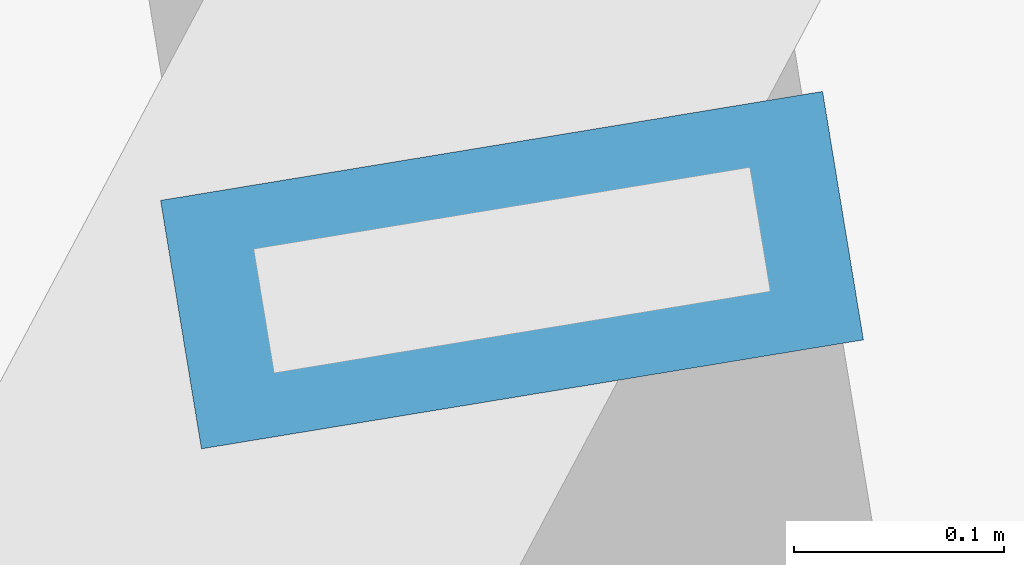
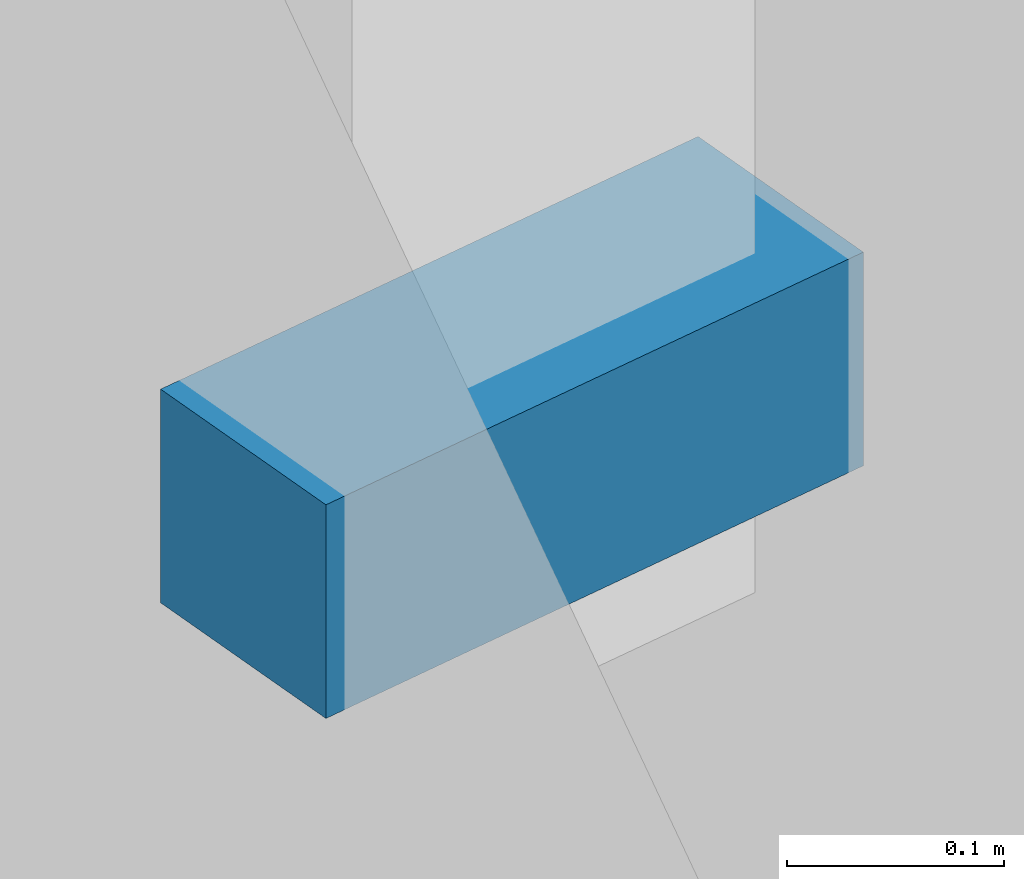
# One storey, part 15 of 21: 1 discrete accessory.
"""IFC4 building model written with IfcOpenShell, lengths in metres."""

from ifc_helpers import new_model, si_unit, direction, frame, origin, origin_2d, place, context, subcontext, project, spatial, rectangle, extrude, material, type_object, element, save


model = new_model("IFC4")

# Units and contexts
model_context = context("Model", 3, precision=1e-05, world=origin(), true_north=direction((0.0, 1.0)))
body_context = subcontext(model_context, "Body", "Model", "MODEL_VIEW")
ifc_project = project(units=[si_unit("LENGTHUNIT", "METRE"), si_unit("AREAUNIT", "SQUARE_METRE"), si_unit("VOLUMEUNIT", "CUBIC_METRE"), si_unit("PLANEANGLEUNIT", "RADIAN"), si_unit("MASSUNIT", "GRAM", prefix="KILO")], contexts=[model_context])

# Site, building, storey
site_placement = place(None, origin())
site = spatial("IfcSite", under=ifc_project, at=site_placement, CompositionType="ELEMENT")
building_placement = place(site_placement, origin())
building = spatial("IfcBuilding", under=site, at=building_placement, Name="Kolvaren Gate Tower and Convention Centre", CompositionType="ELEMENT")
storey_placement = place(building_placement, frame((0.0, 0.0, 226.10009765625)))
storey = spatial("IfcBuildingStorey", under=building, at=storey_placement, Name="L60", CompositionType="ELEMENT", Elevation=226.10009765625)

# Discrete accessory
ifc_material = material(Name="Anodized Architectural Aluminium Alloy 6063-T6", Category="aluminium")
discrete_accessory_type = type_object("IfcDiscreteAccessoryType", Name="ARCH-ACC-BRACKET-120", PredefinedType="BRACKET", material=ifc_material)
discrete_accessory_placement = place(storey_placement, frame((5.592041015625, 25.6806640625, 0.289794921875), z_axis=(0.0, 0.0, 1.0), x_axis=(0.162375401515, -0.986729055508, 0.0)))
element("IfcDiscreteAccessory", 1, at=discrete_accessory_placement, inside=storey, type_object=discrete_accessory_type, Name="Ceramic Fin Wall Anchor Bracket FBK-L60-12", PredefinedType="BRACKET", context=body_context, shape_type="SweptSolid", body=[
    extrude(rectangle(XDim=0.1201171875, YDim=0.320068359375, at=origin_2d()), origin(), (0.0, 0.0, 1.0), 0.1201171875),
])

save(model, "model.ifc")
